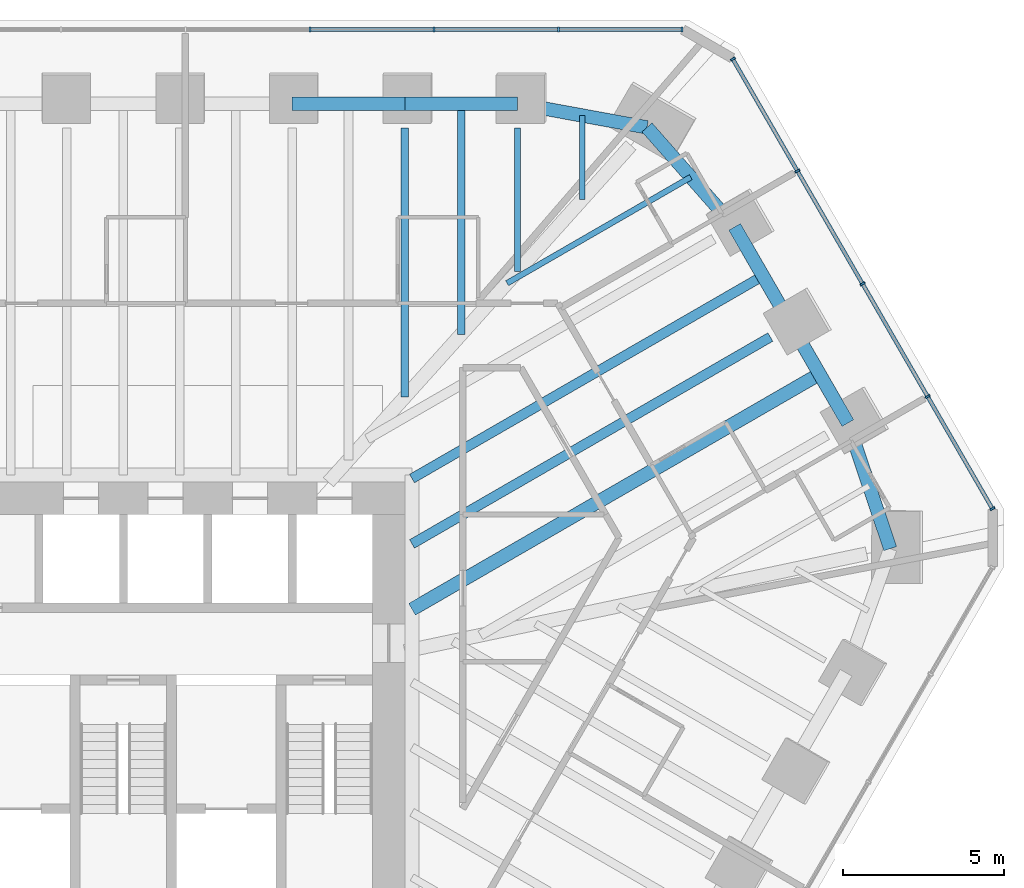
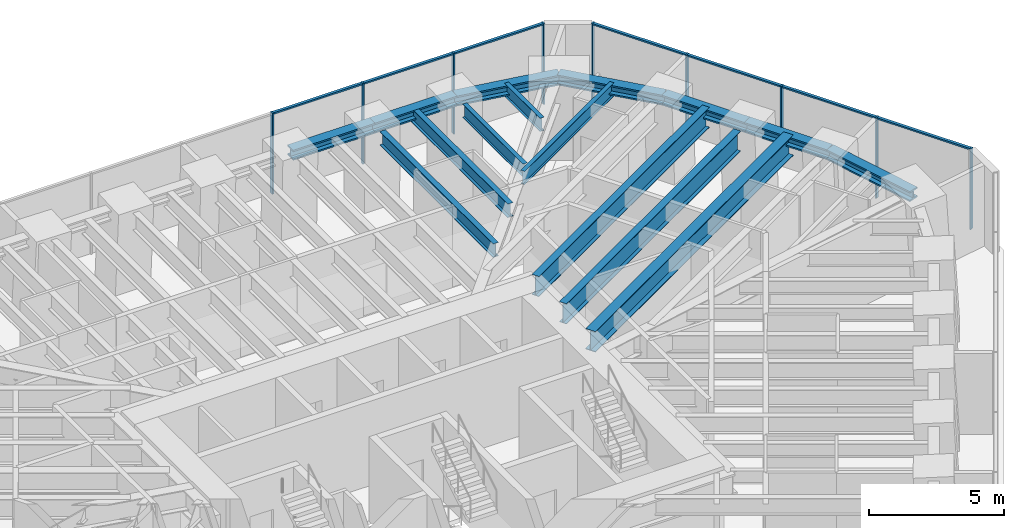
# One storey, part 9 of 16: 16 members, 15 beams, 2 elements without a shape of their own.
"""IFC4 building model written with IfcOpenShell, lengths in metres."""

from ifc_helpers import new_model, si_unit, direction, frame, origin, origin_2d, place, context, subcontext, project, spatial, rectangle, i_section, extrude, material, material_profile, profile_set, type_object, element, aggregate, save


model = new_model("IFC4")

# Units and contexts
model_context = context("Model", 3, precision=1e-05, world=origin(), true_north=direction((0.0, 1.0)))
body_context = subcontext(model_context, "Body", "Model", "MODEL_VIEW")
ifc_project = project(units=[si_unit("LENGTHUNIT", "METRE"), si_unit("AREAUNIT", "SQUARE_METRE"), si_unit("VOLUMEUNIT", "CUBIC_METRE"), si_unit("PLANEANGLEUNIT", "RADIAN"), si_unit("MASSUNIT", "GRAM", prefix="KILO")], contexts=[model_context])

# Site, building, storey
site_placement = place(None, origin())
site = spatial("IfcSite", under=ifc_project, at=site_placement, CompositionType="ELEMENT")
building_placement = place(site_placement, origin())
building = spatial("IfcBuilding", under=site, at=building_placement, Name="Sandreach Pilgrim Tower", CompositionType="ELEMENT")
storey_placement = place(building_placement, frame((0.0, 0.0, 247.800048828125)))
storey = spatial("IfcBuildingStorey", under=building, at=storey_placement, Name="L62", CompositionType="ELEMENT", Elevation=247.800048828125)

# Beams
ifc_material_1 = material(Name="Steel ASTM A913 Grade 65", Category="steel")
ifc_material_profile_1 = material_profile(ifc_material_1, i_section(OverallWidth=0.419189453125, OverallDepth=0.45458984375, WebThickness=0.042236328125, FlangeThickness=0.067626953125, at=origin_2d()), Name="W14X370")
ifc_profile_set_1 = profile_set([ifc_material_profile_1], Name="Steel ASTM A913 Grade 65")
beam_type_1 = type_object("IfcBeamType", Name="Belt truss chord W14X370", PredefinedType="BEAM", material=ifc_profile_set_1)
for number, where, z_axis, x_axis, name in (
    (1, (5.249755859375, 18.861572265625, 3.41259765625), (1.0, 0.0, 0.0), (0.0, 1.0, 0.0), "BM L62 BTB06"),
    (2, (8.74951171875, 18.861572265625, 3.41259765625), (1.0, 0.0, 0.0), (0.0, 1.0, 0.0), "BM L62 BTB07"),
):
    element("IfcBeam", number, at=place(storey_placement, frame(where, z_axis=z_axis, x_axis=x_axis)), inside=storey, type_object=beam_type_1, Name=name, PredefinedType="BEAM", context=body_context, shape_type="SweptSolid", body=[
        extrude(i_section(OverallWidth=0.419189453125, OverallDepth=0.45458984375, WebThickness=0.042236328125, FlangeThickness=0.067626953125, at=origin_2d()), origin(), (0.0, 0.0, 1.0), 3.499755859375),
    ])
beam_1_placement = place(storey_placement, frame((12.249267578125, 18.861572265625, 3.41259765625), z_axis=(0.983586089389, -0.180439476724, 0.0), x_axis=(0.180439476724, 0.983586089389, 0.0)))
element("IfcBeam", 3, at=beam_1_placement, inside=storey, type_object=beam_type_1, Name="BM L62 BTB08", PredefinedType="BEAM", context=body_context, shape_type="SweptSolid", body=[
    extrude(i_section(OverallWidth=0.419189453125, OverallDepth=0.45458984375, WebThickness=0.042236328125, FlangeThickness=0.067626953125, at=origin_2d()), origin(), (0.0, 0.0, 1.0), 4.091552734375),
])
beam_2_placement = place(storey_placement, frame((16.273681640625, 18.123291015625, 3.41259765625), z_axis=(0.660880367939, -0.750491265287, 0.0), x_axis=(0.750491265287, 0.660880367939, 0.0)))
element("IfcBeam", 4, at=beam_2_placement, inside=storey, type_object=beam_type_1, Name="BM L62 BTB09", PredefinedType="BEAM", context=body_context, shape_type="SweptSolid", body=[
    extrude(i_section(OverallWidth=0.419189453125, OverallDepth=0.45458984375, WebThickness=0.042236328125, FlangeThickness=0.067626953125, at=origin_2d()), origin(), (0.0, 0.0, 1.0), 4.119384765625),
])
beam_3_placement = place(storey_placement, frame((18.99609375, 15.03173828125, 3.41259765625), z_axis=(0.500010639957, -0.866019260715, 0.0), x_axis=(0.866019260715, 0.500010639957, 0.0)))
element("IfcBeam", 5, at=beam_3_placement, inside=storey, type_object=beam_type_1, Name="BM L62 BTB10", PredefinedType="BEAM", context=body_context, shape_type="SweptSolid", body=[
    extrude(i_section(OverallWidth=0.419189453125, OverallDepth=0.45458984375, WebThickness=0.042236328125, FlangeThickness=0.067626953125, at=origin_2d()), origin(), (0.0, 0.0, 1.0), 3.52001953125),
])
beam_4_placement = place(storey_placement, frame((20.756103515625, 11.9833984375, 3.41259765625), z_axis=(0.499988652884, -0.866031954946, 0.0), x_axis=(0.866031954946, 0.499988652884, 0.0)))
element("IfcBeam", 6, at=beam_4_placement, inside=storey, type_object=beam_type_1, Name="BM L62 BTB11", PredefinedType="BEAM", context=body_context, shape_type="SweptSolid", body=[
    extrude(i_section(OverallWidth=0.419189453125, OverallDepth=0.45458984375, WebThickness=0.042236328125, FlangeThickness=0.067626953125, at=origin_2d()), origin(), (0.0, 0.0, 1.0), 3.51953125),
])
beam_5_placement = place(storey_placement, frame((22.515869140625, 8.935302734375, 3.41259765625), z_axis=(0.319550524461, -0.947569238798, 0.0), x_axis=(0.947569238798, 0.319550524461, 0.0)))
element("IfcBeam", 7, at=beam_5_placement, inside=storey, type_object=beam_type_1, Name="BM L62 BTB12", PredefinedType="BEAM", context=body_context, shape_type="SweptSolid", body=[
    extrude(i_section(OverallWidth=0.419189453125, OverallDepth=0.45458984375, WebThickness=0.042236328125, FlangeThickness=0.067626953125, at=origin_2d()), origin(), (0.0, 0.0, 1.0), 4.11962890625),
])

# Curtain wall, members
ifc_material_2 = material(Name="Aluminium framed curtain wall", Category="aluminium")
curtain_wall_type = type_object("IfcCurtainWallType", Name="Upper hotel tower curtain wall", PredefinedType="NOTDEFINED", material=ifc_material_2)
curtain_wall_1_placement = place(storey_placement, origin())
curtain_wall_1 = element("IfcCurtainWall", 8, at=curtain_wall_1_placement, inside=storey, type_object=curtain_wall_type, Name="CW-3 L62 N", PredefinedType="NOTDEFINED")
ifc_material_3 = material(Name="Aluminium extrusion", Category="aluminium")
ifc_material_profile_2 = material_profile(ifc_material_3, rectangle(XDim=0.06494140625, YDim=0.159912109375, at=origin_2d()), Name="CW-3M 65X160")
ifc_profile_set_2 = profile_set([ifc_material_profile_2], Name="Aluminium extrusion")
member_type_1 = type_object("IfcMemberType", Name="CW-3 mullion", PredefinedType="MULLION", material=ifc_profile_set_2)
member_1_placement = place(storey_placement, frame((5.796630859375, 21.16015625, 0.0), z_axis=(0.0, 0.0, 1.0), x_axis=(1.0, 0.0, 0.0)))
member_1 = element("IfcMember", 9, at=member_1_placement, type_object=member_type_1, Name="CW-3 mullion 7", PredefinedType="MULLION", context=body_context, shape_type="SweptSolid", body=[
    extrude(rectangle(XDim=0.06494140625, YDim=0.159912109375, at=origin_2d()), origin(), (0.0, 0.0, 1.0), 3.639892578125),
])
member_2_placement = place(storey_placement, frame((9.6611328125, 21.16015625, 0.0), z_axis=(0.0, 0.0, 1.0), x_axis=(1.0, 0.0, 0.0)))
member_2 = element("IfcMember", 10, at=member_2_placement, type_object=member_type_1, Name="CW-3 mullion 8", PredefinedType="MULLION", context=body_context, shape_type="SweptSolid", body=[
    extrude(rectangle(XDim=0.06494140625, YDim=0.159912109375, at=origin_2d()), origin(), (0.0, 0.0, 1.0), 3.639892578125),
])
member_3_placement = place(storey_placement, frame((13.525390625, 21.16015625, 0.0), z_axis=(0.0, 0.0, 1.0), x_axis=(1.0, 0.0, 0.0)))
member_3 = element("IfcMember", 11, at=member_3_placement, type_object=member_type_1, Name="CW-3 mullion 9", PredefinedType="MULLION", context=body_context, shape_type="SweptSolid", body=[
    extrude(rectangle(XDim=0.06494140625, YDim=0.159912109375, at=origin_2d()), origin(), (0.0, 0.0, 1.0), 3.639892578125),
])
member_4_placement = place(storey_placement, frame((17.357421875, 21.16015625, 0.0), z_axis=(0.0, 0.0, 1.0), x_axis=(1.0, 0.0, 0.0)))
member_4 = element("IfcMember", 12, at=member_4_placement, type_object=member_type_1, Name="CW-3 mullion 10", PredefinedType="MULLION", context=body_context, shape_type="SweptSolid", body=[
    extrude(rectangle(XDim=0.06494140625, YDim=0.159912109375, at=origin_2d()), origin(), (0.0, 0.0, 1.0), 3.639892578125),
])

curtain_wall_2_placement = place(storey_placement, origin())
curtain_wall_2 = element("IfcCurtainWall", 13, at=curtain_wall_2_placement, inside=storey, type_object=curtain_wall_type, Name="CW-3 L62 NE", PredefinedType="NOTDEFINED")
member_5_placement = place(storey_placement, frame((18.93896484375, 20.2470703125, 0.0), z_axis=(0.0, 0.0, 1.0), x_axis=(0.5, -0.866025403784, 0.0)))
member_5 = element("IfcMember", 14, at=member_5_placement, type_object=member_type_1, Name="CW-3 mullion 1", PredefinedType="MULLION", context=body_context, shape_type="SweptSolid", body=[
    extrude(rectangle(XDim=0.06494140625, YDim=0.159912109375, at=origin_2d()), origin(), (0.0, 0.0, 1.0), 3.639892578125),
])
member_6_placement = place(storey_placement, frame((20.947021484375, 16.768798828125, 0.0), z_axis=(0.0, 0.0, 1.0), x_axis=(0.5, -0.866025403784, 0.0)))
member_6 = element("IfcMember", 15, at=member_6_placement, type_object=member_type_1, Name="CW-3 mullion 2", PredefinedType="MULLION", context=body_context, shape_type="SweptSolid", body=[
    extrude(rectangle(XDim=0.06494140625, YDim=0.159912109375, at=origin_2d()), origin(), (0.0, 0.0, 1.0), 3.639892578125),
])
member_7_placement = place(storey_placement, frame((22.971435546875, 13.262451171875, 0.0), z_axis=(0.0, 0.0, 1.0), x_axis=(0.5, -0.866025403784, 0.0)))
member_7 = element("IfcMember", 16, at=member_7_placement, type_object=member_type_1, Name="CW-3 mullion 3", PredefinedType="MULLION", context=body_context, shape_type="SweptSolid", body=[
    extrude(rectangle(XDim=0.06494140625, YDim=0.159912109375, at=origin_2d()), origin(), (0.0, 0.0, 1.0), 3.639892578125),
])
member_8_placement = place(storey_placement, frame((24.995849609375, 9.75634765625, 0.0), z_axis=(0.0, 0.0, 1.0), x_axis=(0.5, -0.866025403784, 0.0)))
member_8 = element("IfcMember", 17, at=member_8_placement, type_object=member_type_1, Name="CW-3 mullion 4", PredefinedType="MULLION", context=body_context, shape_type="SweptSolid", body=[
    extrude(rectangle(XDim=0.06494140625, YDim=0.159912109375, at=origin_2d()), origin(), (0.0, 0.0, 1.0), 3.639892578125),
])
member_9_placement = place(storey_placement, frame((27.00390625, 6.278076171875, 0.0), z_axis=(0.0, 0.0, 1.0), x_axis=(0.5, -0.866025403784, 0.0)))
member_9 = element("IfcMember", 18, at=member_9_placement, type_object=member_type_1, Name="CW-3 mullion 5", PredefinedType="MULLION", context=body_context, shape_type="SweptSolid", body=[
    extrude(rectangle(XDim=0.06494140625, YDim=0.159912109375, at=origin_2d()), origin(), (0.0, 0.0, 1.0), 3.639892578125),
])

# Member
ifc_material_4 = material(Name="Aluminium extrusion", Category="aluminium")
ifc_material_profile_3 = material_profile(ifc_material_4, rectangle(XDim=0.1201171875, YDim=0.070068359375, at=origin_2d()), Name="CW-3T 120X70")
ifc_profile_set_3 = profile_set([ifc_material_profile_3], Name="Aluminium extrusion")
member_type_2 = type_object("IfcMemberType", Name="CW-3 transom", PredefinedType="USERDEFINED", material=ifc_profile_set_3)
member_10_placement = place(storey_placement, frame((5.8291015625, 21.16015625, 3.60498046875), z_axis=(1.0, 0.0, 0.0), x_axis=(0.0, 1.0, 0.0)))
member_10 = element("IfcMember", 19, at=member_10_placement, type_object=member_type_2, Name="CW-3 head transom 7", ObjectType="TRANSOM", PredefinedType="USERDEFINED", context=body_context, shape_type="SweptSolid", body=[
    extrude(rectangle(XDim=0.1201171875, YDim=0.070068359375, at=origin_2d()), origin(), (0.0, 0.0, 1.0), 3.799560546875),
])

member_11_placement = place(storey_placement, frame((9.693603515625, 21.16015625, 3.60498046875), z_axis=(1.0, 0.0, 0.0), x_axis=(0.0, 1.0, 0.0)))
member_11 = element("IfcMember", 20, at=member_11_placement, type_object=member_type_2, Name="CW-3 head transom 8", ObjectType="TRANSOM", PredefinedType="USERDEFINED", context=body_context, shape_type="SweptSolid", body=[
    extrude(rectangle(XDim=0.1201171875, YDim=0.070068359375, at=origin_2d()), origin(), (0.0, 0.0, 1.0), 3.79931640625),
])

member_12_placement = place(storey_placement, frame((13.557861328125, 21.16015625, 3.60498046875), z_axis=(1.0, 0.0, 0.0), x_axis=(0.0, 1.0, 0.0)))
member_12 = element("IfcMember", 21, at=member_12_placement, type_object=member_type_2, Name="CW-3 head transom 9", ObjectType="TRANSOM", PredefinedType="USERDEFINED", context=body_context, shape_type="SweptSolid", body=[
    extrude(rectangle(XDim=0.1201171875, YDim=0.070068359375, at=origin_2d()), origin(), (0.0, 0.0, 1.0), 3.76708984375),
])

aggregate(curtain_wall_1, [member_1, member_2, member_3, member_4, member_10, member_11, member_12])

member_13_placement = place(storey_placement, frame((18.955322265625, 20.21875, 3.60498046875), z_axis=(0.499993448556, -0.866029186229, 0.0), x_axis=(0.866029186229, 0.499993448556, 0.0)))
member_13 = element("IfcMember", 22, at=member_13_placement, type_object=member_type_2, Name="CW-3 head transom 1", ObjectType="TRANSOM", PredefinedType="USERDEFINED", context=body_context, shape_type="SweptSolid", body=[
    extrude(rectangle(XDim=0.1201171875, YDim=0.070068359375, at=origin_2d()), origin(), (0.0, 0.0, 1.0), 3.951171875),
])

member_14_placement = place(storey_placement, frame((20.96337890625, 16.74072265625, 3.60498046875), z_axis=(0.499975332564, -0.866039645067, 0.0), x_axis=(0.866039645067, 0.499975332564, 0.0)))
member_14 = element("IfcMember", 23, at=member_14_placement, type_object=member_type_2, Name="CW-3 head transom 2", ObjectType="TRANSOM", PredefinedType="USERDEFINED", context=body_context, shape_type="SweptSolid", body=[
    extrude(rectangle(XDim=0.1201171875, YDim=0.070068359375, at=origin_2d()), origin(), (0.0, 0.0, 1.0), 3.983642578125),
])

member_15_placement = place(storey_placement, frame((22.98779296875, 13.234375, 3.60498046875), z_axis=(0.499975332564, -0.866039645067, 0.0), x_axis=(0.866039645067, 0.499975332564, 0.0)))
member_15 = element("IfcMember", 24, at=member_15_placement, type_object=member_type_2, Name="CW-3 head transom 3", ObjectType="TRANSOM", PredefinedType="USERDEFINED", context=body_context, shape_type="SweptSolid", body=[
    extrude(rectangle(XDim=0.1201171875, YDim=0.070068359375, at=origin_2d()), origin(), (0.0, 0.0, 1.0), 3.983642578125),
])

member_16_placement = place(storey_placement, frame((25.011962890625, 9.728271484375, 3.60498046875), z_axis=(0.499993448556, -0.866029186229, 0.0), x_axis=(0.866029186229, 0.499993448556, 0.0)))
member_16 = element("IfcMember", 25, at=member_16_placement, type_object=member_type_2, Name="CW-3 head transom 4", ObjectType="TRANSOM", PredefinedType="USERDEFINED", context=body_context, shape_type="SweptSolid", body=[
    extrude(rectangle(XDim=0.1201171875, YDim=0.070068359375, at=origin_2d()), origin(), (0.0, 0.0, 1.0), 3.951171875),
])

aggregate(curtain_wall_2, [member_5, member_6, member_7, member_8, member_9, member_13, member_14, member_15, member_16])

# Beams
ifc_material_5 = material(Name="Steel ASTM A992 Grade 50", Category="steel")
ifc_material_profile_4 = material_profile(ifc_material_5, i_section(OverallWidth=0.1787109375, OverallDepth=0.60205078125, WebThickness=0.010986328125, FlangeThickness=0.014892578125, at=origin_2d()), Name="W24X62")
ifc_profile_set_4 = profile_set([ifc_material_profile_4], Name="Steel ASTM A992 Grade 50")
beam_type_2 = type_object("IfcBeamType", Name="Floor beam W24X62", PredefinedType="BEAM", material=ifc_profile_set_4)
beam_6_placement = place(storey_placement, frame((12.249267578125, 18.111572265625, 3.3388671875), z_axis=(0.0, -1.0, 0.0), x_axis=(1.0, 0.0, 0.0)))
element("IfcBeam", 26, at=beam_6_placement, inside=storey, type_object=beam_type_2, Name="BM L62 F08", PredefinedType="BEAM", context=body_context, shape_type="SweptSolid", body=[
    extrude(i_section(OverallWidth=0.1787109375, OverallDepth=0.60205078125, WebThickness=0.010986328125, FlangeThickness=0.014892578125, at=origin_2d()), origin(), (0.0, 0.0, 1.0), 4.469970703125),
])
beam_7_placement = place(storey_placement, frame((14.261474609375, 18.492431640625, 3.3388671875), z_axis=(0.0, -1.0, 0.0), x_axis=(1.0, 0.0, 0.0)))
element("IfcBeam", 27, at=beam_7_placement, inside=storey, type_object=beam_type_2, Name="BM L62 FM08", PredefinedType="BEAM", context=body_context, shape_type="SweptSolid", body=[
    extrude(i_section(OverallWidth=0.1787109375, OverallDepth=0.60205078125, WebThickness=0.010986328125, FlangeThickness=0.014892578125, at=origin_2d()), origin(), (0.0, 0.0, 1.0), 2.60986328125),
])
beam_8_placement = place(storey_placement, frame((17.635009765625, 16.57763671875, 3.3388671875), z_axis=(-0.866021534058, -0.500006702503, 0.0), x_axis=(0.500006702503, -0.866021534058, 0.0)))
element("IfcBeam", 28, at=beam_8_placement, inside=storey, type_object=beam_type_2, Name="BM L62 FM09", PredefinedType="BEAM", context=body_context, shape_type="SweptSolid", body=[
    extrude(i_section(OverallWidth=0.1787109375, OverallDepth=0.60205078125, WebThickness=0.010986328125, FlangeThickness=0.014892578125, at=origin_2d()), origin(), (0.0, 0.0, 1.0), 6.59228515625),
])
ifc_material_6 = material(Name="Steel ASTM A992 Grade 50", Category="steel")
ifc_material_profile_5 = material_profile(ifc_material_6, i_section(OverallWidth=0.23046875, OverallDepth=0.6171875, WebThickness=0.01318359375, FlangeThickness=0.022216796875, at=origin_2d()), Name="W24X94")
ifc_profile_set_5 = profile_set([ifc_material_profile_5], Name="Steel ASTM A992 Grade 50")
beam_type_3 = type_object("IfcBeamType", Name="Floor beam W24X94", PredefinedType="BEAM", material=ifc_profile_set_5)
beam_9_placement = place(storey_placement, frame((8.74951171875, 18.111572265625, 3.331298828125), z_axis=(0.0, -1.0, 0.0), x_axis=(1.0, 0.0, 0.0)))
element("IfcBeam", 29, at=beam_9_placement, inside=storey, type_object=beam_type_3, Name="BM L62 F07", PredefinedType="BEAM", context=body_context, shape_type="SweptSolid", body=[
    extrude(i_section(OverallWidth=0.23046875, OverallDepth=0.6171875, WebThickness=0.01318359375, FlangeThickness=0.022216796875, at=origin_2d()), origin(), (0.0, 0.0, 1.0), 8.36767578125),
])
beam_10_placement = place(storey_placement, frame((10.499267578125, 18.861572265625, 3.331298828125), z_axis=(0.0, -1.0, 0.0), x_axis=(1.0, 0.0, 0.0)))
element("IfcBeam", 30, at=beam_10_placement, inside=storey, type_object=beam_type_3, Name="BM L62 FM07", PredefinedType="BEAM", context=body_context, shape_type="SweptSolid", body=[
    extrude(i_section(OverallWidth=0.23046875, OverallDepth=0.6171875, WebThickness=0.01318359375, FlangeThickness=0.022216796875, at=origin_2d()), origin(), (0.0, 0.0, 1.0), 7.1689453125),
])
ifc_material_7 = material(Name="Steel ASTM A992 Grade 50", Category="steel")
ifc_material_profile_6 = material_profile(ifc_material_7, i_section(OverallWidth=0.3046875, OverallDepth=0.914306640625, WebThickness=0.0166015625, FlangeThickness=0.02587890625, at=origin_2d()), Name="W36X160")
ifc_profile_set_6 = profile_set([ifc_material_profile_6], Name="Steel ASTM A992 Grade 50")
beam_type_4 = type_object("IfcBeamType", Name="Floor beam W36X160", PredefinedType="BEAM", material=ifc_profile_set_6)
beam_11_placement = place(storey_placement, frame((20.1064453125, 11.6083984375, 3.182861328125), z_axis=(-0.866022413849, -0.500005178684, 0.0), x_axis=(0.500005178684, -0.866022413849, 0.0)))
element("IfcBeam", 31, at=beam_11_placement, inside=storey, type_object=beam_type_4, Name="BM L62 F11", PredefinedType="BEAM", context=body_context, shape_type="SweptSolid", body=[
    extrude(i_section(OverallWidth=0.3046875, OverallDepth=0.914306640625, WebThickness=0.0166015625, FlangeThickness=0.02587890625, at=origin_2d()), origin(), (0.0, 0.0, 1.0), 12.856689453125),
])
beam_12_placement = place(storey_placement, frame((19.8759765625, 13.507568359375, 3.182861328125), z_axis=(-0.866022194024, -0.500005559427, 0.0), x_axis=(0.500005559427, -0.866022194024, 0.0)))
element("IfcBeam", 32, at=beam_12_placement, inside=storey, type_object=beam_type_4, Name="BM L62 FM10", PredefinedType="BEAM", context=body_context, shape_type="SweptSolid", body=[
    extrude(i_section(OverallWidth=0.3046875, OverallDepth=0.914306640625, WebThickness=0.0166015625, FlangeThickness=0.02587890625, at=origin_2d()), origin(), (0.0, 0.0, 1.0), 12.590576171875),
])
ifc_material_8 = material(Name="Steel ASTM A992 Grade 50", Category="steel")
ifc_material_profile_7 = material_profile(ifc_material_8, i_section(OverallWidth=0.419189453125, OverallDepth=0.927001953125, WebThickness=0.019287109375, FlangeThickness=0.031982421875, at=origin_2d()), Name="W36X231")
ifc_profile_set_7 = profile_set([ifc_material_profile_7], Name="Steel ASTM A992 Grade 50")
beam_type_5 = type_object("IfcBeamType", Name="Floor beam W36X231", PredefinedType="BEAM", material=ifc_profile_set_7)
beam_13_placement = place(storey_placement, frame((21.635986328125, 10.45947265625, 3.176513671875), z_axis=(-0.86602349385, -0.500003308088, 0.0), x_axis=(0.500003308088, -0.86602349385, 0.0)))
element("IfcBeam", 33, at=beam_13_placement, inside=storey, type_object=beam_type_5, Name="BM L62 FM11", PredefinedType="BEAM", context=body_context, shape_type="SweptSolid", body=[
    extrude(i_section(OverallWidth=0.419189453125, OverallDepth=0.927001953125, WebThickness=0.019287109375, FlangeThickness=0.031982421875, at=origin_2d()), origin(), (0.0, 0.0, 1.0), 14.623046875),
])

save(model, "model.ifc")
